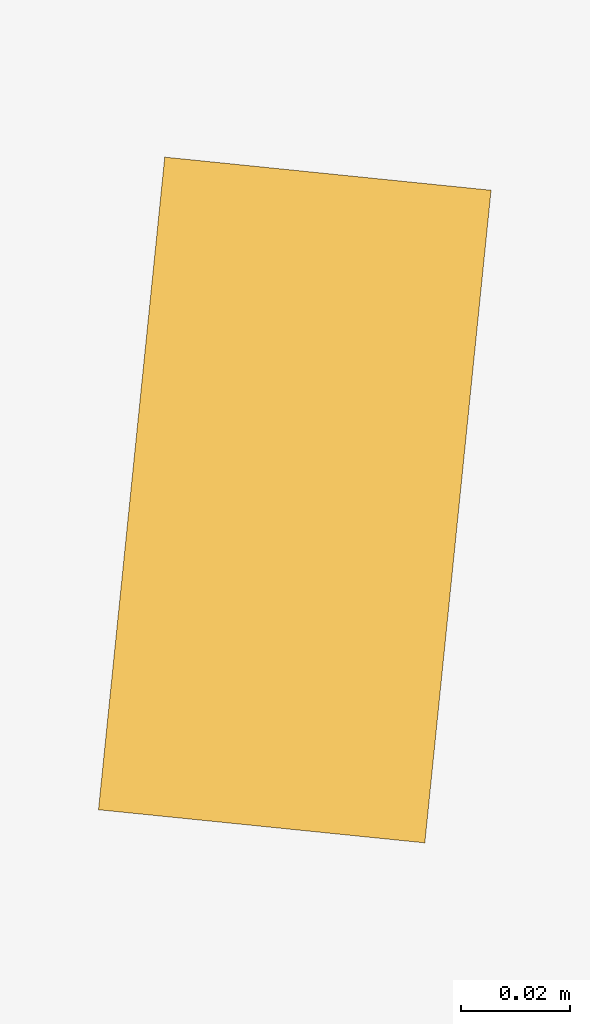
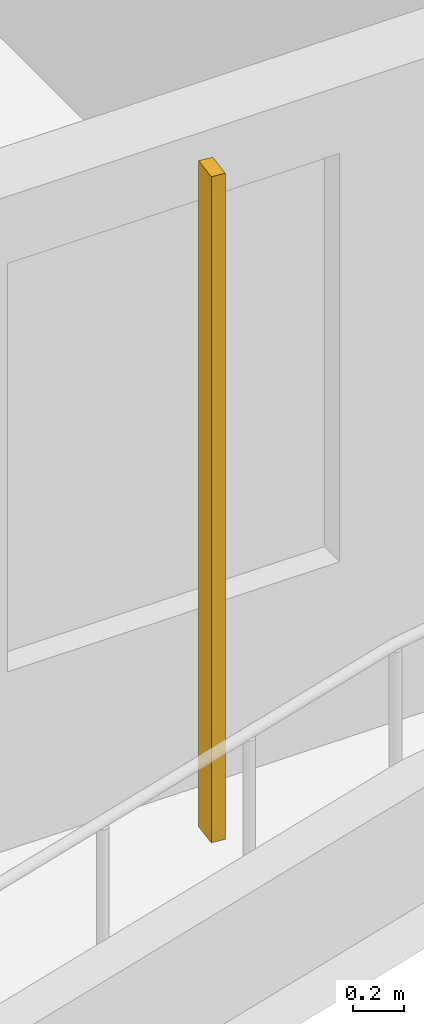
# One storey, part 16 of 23: 1 shading device.
"""IFC4 building model written with IfcOpenShell, lengths in metres."""

from ifc_helpers import new_model, si_unit, direction, frame, origin, origin_2d, place, context, subcontext, project, spatial, rectangle, extrude, source, transform, mapped, material, material_profile, profile_set, type_object, element, save


model = new_model("IFC4")

# Units and contexts
model_context = context("Model", 3, precision=1e-05, world=origin(), true_north=direction((0.0, 1.0)))
body_context = subcontext(model_context, "Body", "Model", "MODEL_VIEW")
ifc_project = project(units=[si_unit("LENGTHUNIT", "METRE"), si_unit("AREAUNIT", "SQUARE_METRE"), si_unit("VOLUMEUNIT", "CUBIC_METRE"), si_unit("PLANEANGLEUNIT", "RADIAN"), si_unit("MASSUNIT", "GRAM", prefix="KILO")], contexts=[model_context])

# Site, building, storey
site_placement = place(None, origin())
site = spatial("IfcSite", under=ifc_project, at=site_placement, CompositionType="ELEMENT")
building_placement = place(site_placement, origin())
building = spatial("IfcBuilding", under=site, at=building_placement, Name="Kilnfold Tower and Market Hall", CompositionType="ELEMENT")
storey_placement = place(building_placement, frame((0.0, 0.0, 178.699951171875)))
storey = spatial("IfcBuildingStorey", under=building, at=storey_placement, Name="L42", CompositionType="ELEMENT", Elevation=178.699951171875)

# Shading device
ifc_material = material(Name="Terracotta", Category="masonry")
ifc_material_profile = material_profile(ifc_material, rectangle(XDim=0.06005859375, YDim=0.1201171875, at=origin_2d()), Name="BAG 60x120")
ifc_profile_set = profile_set([ifc_material_profile], Name="Terracotta")
shading_device_type = type_object("IfcShadingDeviceType", Name="BAGUETTE", PredefinedType="USERDEFINED", material=ifc_profile_set)
shared_shape = source(origin(), body_context, "Body", "SweptSolid", [
    extrude(rectangle(XDim=0.06005859375, YDim=0.1201171875, at=origin_2d()), origin(), (0.0, 0.0, 1.0), 3.179931640625),
])
shading_device_placement = place(storey_placement, frame((4.4873046875, -26.550048828125, 0.0), z_axis=(0.0, 0.0, 1.0), x_axis=(0.994887937719, -0.100985104754, 0.0)))
element("IfcShadingDevice", 1, at=shading_device_placement, inside=storey, type_object=shading_device_type, Name="Terracotta baguette L42 S", ObjectType="BAGUETTE", PredefinedType="USERDEFINED", context=body_context, shape_type="MappedRepresentation", body=[
    mapped(shared_shape, transform((0.0, 0.0, 0.0))),
])

save(model, "model.ifc")
